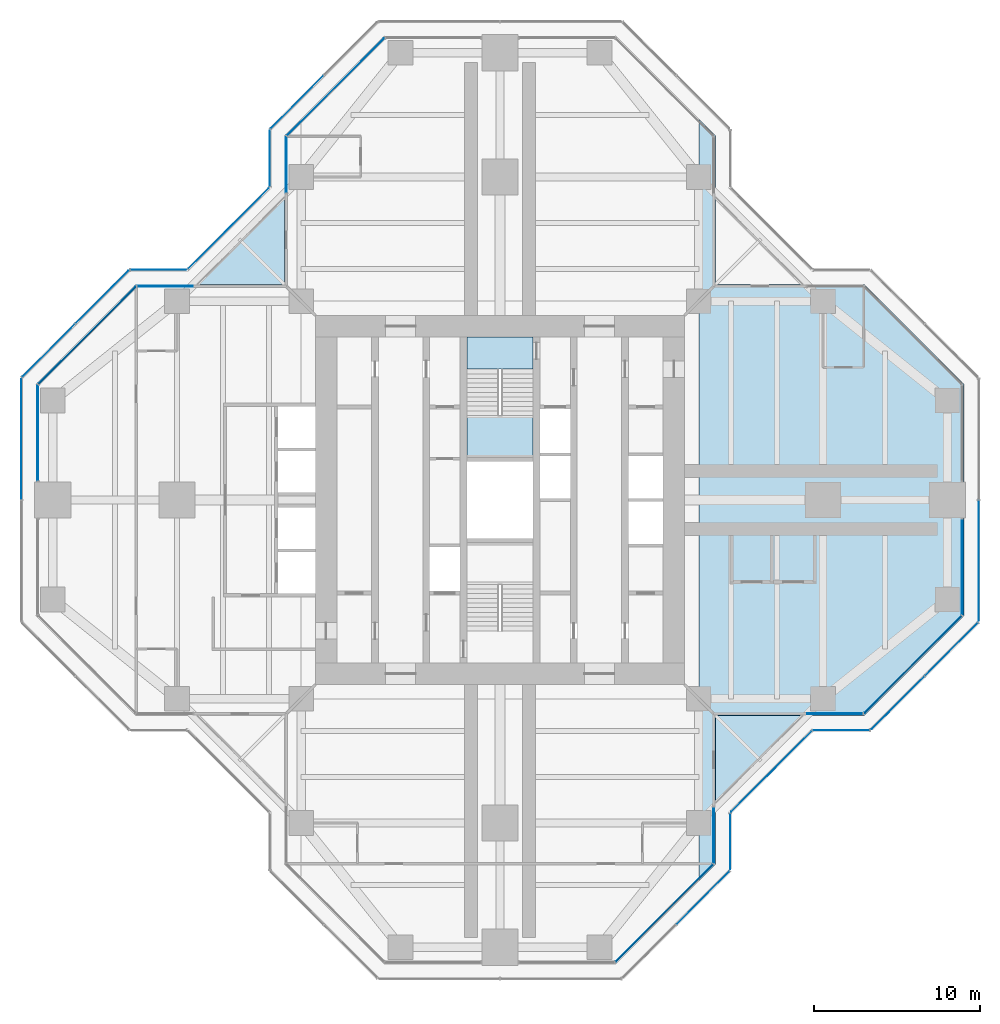
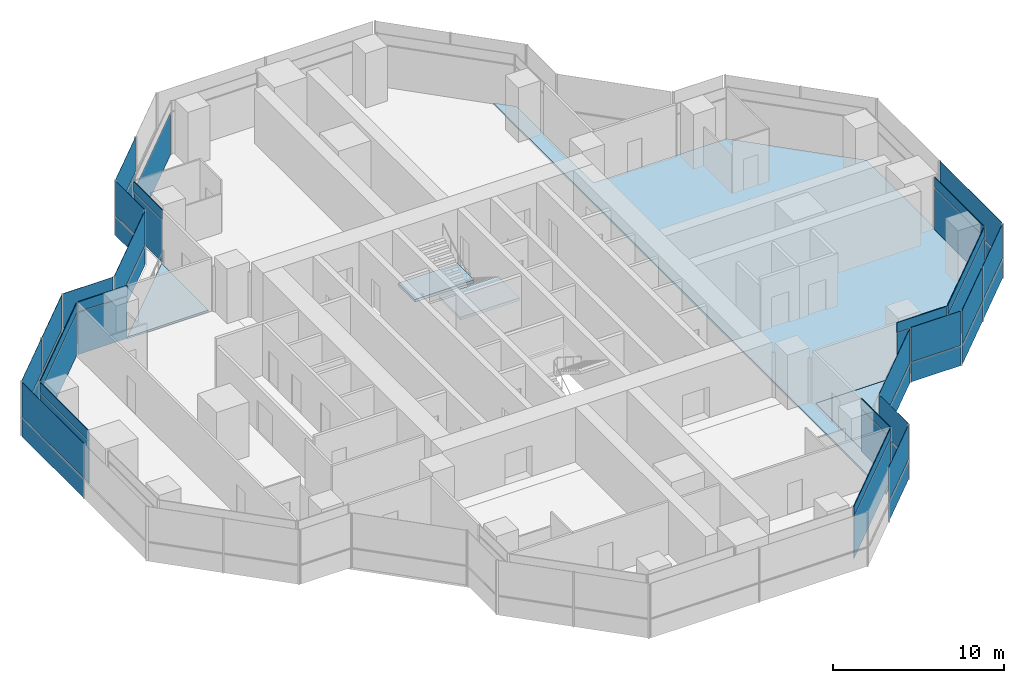
# One storey, part 11 of 17: 47 plates, 5 slabs, 23 elements without a shape of their own.
"""IFC4 building model written with IfcOpenShell, lengths in metres."""

from ifc_helpers import new_model, si_unit, direction, frame, origin, origin_2d, place, context, subcontext, project, spatial, polyline, rectangle, outline, extrude, material, layer, layer_set, type_object, element, aggregate, save


model = new_model("IFC4")

# Units and contexts
model_context = context("Model", 3, precision=1e-05, world=origin(), true_north=direction((0.0, 1.0)))
body_context = subcontext(model_context, "Body", "Model", "MODEL_VIEW")
ifc_project = project(units=[si_unit("LENGTHUNIT", "METRE"), si_unit("AREAUNIT", "SQUARE_METRE"), si_unit("VOLUMEUNIT", "CUBIC_METRE"), si_unit("PLANEANGLEUNIT", "RADIAN"), si_unit("MASSUNIT", "GRAM", prefix="KILO")], contexts=[model_context])

# Site, building, storey
site_placement = place(None, origin())
site = spatial("IfcSite", under=ifc_project, at=site_placement, CompositionType="ELEMENT")
building_placement = place(site_placement, origin())
building = spatial("IfcBuilding", under=site, at=building_placement, Name="Mizan Broadcast Tower", CompositionType="ELEMENT")
storey_placement = place(building_placement, frame((0.0, 0.0, 240.0)))
storey = spatial("IfcBuildingStorey", under=building, at=storey_placement, Name="L56", CompositionType="ELEMENT", Elevation=240.0)

# Slab
ifc_material_1 = material(Name="Concrete C32/40", Category="concrete")
ifc_layer_1 = layer(ifc_material_1, 0.1298828125)
ifc_layer_set_1 = layer_set([ifc_layer_1], Name="Concrete C32/40")
slab_type_1 = type_object("IfcSlabType", Name="COMPOSITE DECK SLAB 130", PredefinedType="FLOOR", material=ifc_layer_set_1)
slab_1_placement = place(storey_placement, frame((0.0, 0.0, -0.1298828125)))
element("IfcSlab", 1, at=slab_1_placement, inside=storey, type_object=slab_type_1, Name="Floor slab L56 east arm", PredefinedType="FLOOR", context=body_context, shape_type="SweptSolid", body=[
    extrude(outline(polyline([(13.0, 22.0), (12.0, 23.0), (12.0, -23.0), (13.0, -22.0), (13.0, -13.0), (22.0, -13.0), (28.0, -7.0), (28.0, 7.0), (22.0, 13.0), (13.0, 13.0), (13.0, 22.0)])), origin(), (0.0, 0.0, 1.0), 0.1298828125),
])

# Curtain wall, plate
ifc_material_2 = material(Name="Aluminium framed glazing", Category="aluminium")
curtain_wall_type_1 = type_object("IfcCurtainWallType", Name="INNER SKIN HIGH ZONE", PredefinedType="USERDEFINED", material=ifc_material_2)
curtain_wall_1_placement = place(storey_placement, origin())
curtain_wall_1 = element("IfcCurtainWall", 2, at=curtain_wall_1_placement, inside=storey, type_object=curtain_wall_type_1, Name="Inner skin high zone L56 E side", ObjectType="INNER SKIN HIGH ZONE", PredefinedType="USERDEFINED")
ifc_material_3 = material(Name="Double glazing, clear low-e", Category="glass")
ifc_layer_2 = layer(ifc_material_3, 0.028076171875)
ifc_layer_set_2 = layer_set([ifc_layer_2], Name="Double glazing, clear low-e")
plate_type_1 = type_object("IfcPlateType", Name="INNER SKIN GLAZING UNIT", PredefinedType="CURTAIN_PANEL", material=ifc_layer_set_2)
plate_1_placement = place(storey_placement, frame((20.229248046875, -12.89990234375, 0.0), z_axis=(0.0, 0.0, 1.0), x_axis=(1.0, 0.0, 0.0)))
plate_1 = element("IfcPlate", 3, at=plate_1_placement, type_object=plate_type_1, Name="Inner skin high zone L56 E side panel 1.1", PredefinedType="CURTAIN_PANEL", context=body_context, shape_type="SweptSolid", body=[
    extrude(rectangle(XDim=3.338623046875, YDim=0.028076171875, at=origin_2d()), origin(), (0.0, 0.0, 1.0), 3.0),
])

curtain_wall_2_placement = place(storey_placement, origin())
curtain_wall_2 = element("IfcCurtainWall", 4, at=curtain_wall_2_placement, inside=storey, type_object=curtain_wall_type_1, Name="Inner skin high zone L56 E chamfer", ObjectType="INNER SKIN HIGH ZONE", PredefinedType="USERDEFINED")
plate_2_placement = place(storey_placement, frame((24.92919921875, -9.92919921875, 0.0), z_axis=(0.0, 0.0, 1.0), x_axis=(0.707106781187, 0.707106781187, 0.0)))
plate_2 = element("IfcPlate", 5, at=plate_2_placement, type_object=plate_type_1, Name="Inner skin high zone L56 E chamfer panel 1.1", PredefinedType="CURTAIN_PANEL", context=body_context, shape_type="SweptSolid", body=[
    extrude(rectangle(XDim=8.282470703125, YDim=0.028076171875, at=origin_2d()), origin(), (0.0, 0.0, 1.0), 3.0),
])

curtain_wall_3_placement = place(storey_placement, origin())
curtain_wall_3 = element("IfcCurtainWall", 6, at=curtain_wall_3_placement, inside=storey, type_object=curtain_wall_type_1, Name="Inner skin high zone L56 E end", ObjectType="INNER SKIN HIGH ZONE", PredefinedType="USERDEFINED")
plate_3_placement = place(storey_placement, frame((27.89990234375, -4.029296875, 0.0), z_axis=(0.0, 0.0, 1.0), x_axis=(0.0, 1.0, 0.0)))
plate_3 = element("IfcPlate", 7, at=plate_3_placement, type_object=plate_type_1, Name="Inner skin high zone L56 E end panel 1.1", PredefinedType="CURTAIN_PANEL", context=body_context, shape_type="SweptSolid", body=[
    extrude(rectangle(XDim=5.738525390625, YDim=0.028076171875, at=origin_2d()), origin(), (0.0, 0.0, 1.0), 3.0),
])

curtain_wall_4_placement = place(storey_placement, origin())
curtain_wall_4 = element("IfcCurtainWall", 8, at=curtain_wall_4_placement, inside=storey, type_object=curtain_wall_type_1, Name="Inner skin high zone L56 N chamfer", ObjectType="INNER SKIN HIGH ZONE", PredefinedType="USERDEFINED")
plate_4_placement = place(storey_placement, frame((-9.92919921875, 24.92919921875, 0.0), z_axis=(0.0, 0.0, 1.0), x_axis=(-0.707106781187, -0.707106781187, 0.0)))
plate_4 = element("IfcPlate", 9, at=plate_4_placement, type_object=plate_type_1, Name="Inner skin high zone L56 N chamfer panel 1.1", PredefinedType="CURTAIN_PANEL", context=body_context, shape_type="SweptSolid", body=[
    extrude(rectangle(XDim=8.282470703125, YDim=0.028076171875, at=origin_2d()), origin(), (0.0, 0.0, 1.0), 3.0),
])
aggregate(curtain_wall_4, [plate_4])

curtain_wall_5_placement = place(storey_placement, origin())
curtain_wall_5 = element("IfcCurtainWall", 10, at=curtain_wall_5_placement, inside=storey, type_object=curtain_wall_type_1, Name="Inner skin high zone L56 N side", ObjectType="INNER SKIN HIGH ZONE", PredefinedType="USERDEFINED")
plate_5_placement = place(storey_placement, frame((-12.89990234375, 20.229248046875, 0.0), z_axis=(0.0, 0.0, 1.0), x_axis=(0.0, -1.0, 0.0)))
plate_5 = element("IfcPlate", 11, at=plate_5_placement, type_object=plate_type_1, Name="Inner skin high zone L56 N side panel 1.1", PredefinedType="CURTAIN_PANEL", context=body_context, shape_type="SweptSolid", body=[
    extrude(rectangle(XDim=3.338623046875, YDim=0.028076171875, at=origin_2d()), origin(), (0.0, 0.0, 1.0), 3.0),
])

curtain_wall_6_placement = place(storey_placement, origin())
curtain_wall_6 = element("IfcCurtainWall", 12, at=curtain_wall_6_placement, inside=storey, type_object=curtain_wall_type_1, Name="Inner skin high zone L56 W side", ObjectType="INNER SKIN HIGH ZONE", PredefinedType="USERDEFINED")
plate_6_placement = place(storey_placement, frame((-20.229248046875, 12.89990234375, 0.0), z_axis=(0.0, 0.0, 1.0), x_axis=(-1.0, 0.0, 0.0)))
plate_6 = element("IfcPlate", 13, at=plate_6_placement, type_object=plate_type_1, Name="Inner skin high zone L56 W side panel 1.1", PredefinedType="CURTAIN_PANEL", context=body_context, shape_type="SweptSolid", body=[
    extrude(rectangle(XDim=3.338623046875, YDim=0.028076171875, at=origin_2d()), origin(), (0.0, 0.0, 1.0), 3.0),
])

curtain_wall_7_placement = place(storey_placement, origin())
curtain_wall_7 = element("IfcCurtainWall", 14, at=curtain_wall_7_placement, inside=storey, type_object=curtain_wall_type_1, Name="Inner skin high zone L56 W chamfer", ObjectType="INNER SKIN HIGH ZONE", PredefinedType="USERDEFINED")
plate_7_placement = place(storey_placement, frame((-24.92919921875, 9.92919921875, 0.0), z_axis=(0.0, 0.0, 1.0), x_axis=(-0.707106781187, -0.707106781187, 0.0)))
plate_7 = element("IfcPlate", 15, at=plate_7_placement, type_object=plate_type_1, Name="Inner skin high zone L56 W chamfer panel 1.1", PredefinedType="CURTAIN_PANEL", context=body_context, shape_type="SweptSolid", body=[
    extrude(rectangle(XDim=8.282470703125, YDim=0.028076171875, at=origin_2d()), origin(), (0.0, 0.0, 1.0), 3.0),
])

curtain_wall_8_placement = place(storey_placement, origin())
curtain_wall_8 = element("IfcCurtainWall", 16, at=curtain_wall_8_placement, inside=storey, type_object=curtain_wall_type_1, Name="Inner skin high zone L56 W end", ObjectType="INNER SKIN HIGH ZONE", PredefinedType="USERDEFINED")
plate_8_placement = place(storey_placement, frame((-27.89990234375, 4.029296875, 0.0), z_axis=(0.0, 0.0, 1.0), x_axis=(0.0, -1.0, 0.0)))
plate_8 = element("IfcPlate", 17, at=plate_8_placement, type_object=plate_type_1, Name="Inner skin high zone L56 W end panel 1.1", PredefinedType="CURTAIN_PANEL", context=body_context, shape_type="SweptSolid", body=[
    extrude(rectangle(XDim=5.738525390625, YDim=0.028076171875, at=origin_2d()), origin(), (0.0, 0.0, 1.0), 3.0),
])

curtain_wall_9_placement = place(storey_placement, origin())
curtain_wall_9 = element("IfcCurtainWall", 18, at=curtain_wall_9_placement, inside=storey, type_object=curtain_wall_type_1, Name="Inner skin high zone L56 S chamfer", ObjectType="INNER SKIN HIGH ZONE", PredefinedType="USERDEFINED")
plate_9_placement = place(storey_placement, frame((9.92919921875, -24.92919921875, 0.0), z_axis=(0.0, 0.0, 1.0), x_axis=(0.707106781187, 0.707106781187, 0.0)))
plate_9 = element("IfcPlate", 19, at=plate_9_placement, type_object=plate_type_1, Name="Inner skin high zone L56 S chamfer panel 1.1", PredefinedType="CURTAIN_PANEL", context=body_context, shape_type="SweptSolid", body=[
    extrude(rectangle(XDim=8.282470703125, YDim=0.028076171875, at=origin_2d()), origin(), (0.0, 0.0, 1.0), 3.0),
])

curtain_wall_10_placement = place(storey_placement, origin())
curtain_wall_10 = element("IfcCurtainWall", 20, at=curtain_wall_10_placement, inside=storey, type_object=curtain_wall_type_1, Name="Inner skin high zone L56 S side", ObjectType="INNER SKIN HIGH ZONE", PredefinedType="USERDEFINED")
plate_10_placement = place(storey_placement, frame((12.89990234375, -20.229248046875, 0.0), z_axis=(0.0, 0.0, 1.0), x_axis=(0.0, 1.0, 0.0)))
plate_10 = element("IfcPlate", 21, at=plate_10_placement, type_object=plate_type_1, Name="Inner skin high zone L56 S side panel 1.1", PredefinedType="CURTAIN_PANEL", context=body_context, shape_type="SweptSolid", body=[
    extrude(rectangle(XDim=3.338623046875, YDim=0.028076171875, at=origin_2d()), origin(), (0.0, 0.0, 1.0), 3.0),
])

# Plate
ifc_material_4 = material(Name="Insulated aluminium spandrel panel, pale anodised", Category="aluminium")
ifc_layer_3 = layer(ifc_material_4, 0.050048828125)
ifc_layer_set_3 = layer_set([ifc_layer_3], Name="Insulated aluminium spandrel panel, pale anodised")
plate_type_2 = type_object("IfcPlateType", Name="INNER SKIN SPANDREL PANEL", PredefinedType="CURTAIN_PANEL", material=ifc_layer_set_3)
plate_11_placement = place(storey_placement, frame((20.229248046875, -12.89990234375, 3.06005859375), z_axis=(0.0, 0.0, 1.0), x_axis=(1.0, 0.0, 0.0)))
plate_11 = element("IfcPlate", 22, at=plate_11_placement, type_object=plate_type_2, Name="Inner skin high zone L56 E side panel 1.2", PredefinedType="CURTAIN_PANEL", context=body_context, shape_type="SweptSolid", body=[
    extrude(rectangle(XDim=3.338623046875, YDim=0.050048828125, at=origin_2d()), origin(), (0.0, 0.0, 1.0), 0.7099609375),
])

aggregate(curtain_wall_1, [plate_1, plate_11])

plate_12_placement = place(storey_placement, frame((24.92919921875, -9.92919921875, 3.06005859375), z_axis=(0.0, 0.0, 1.0), x_axis=(0.707106781187, 0.707106781187, 0.0)))
plate_12 = element("IfcPlate", 23, at=plate_12_placement, type_object=plate_type_2, Name="Inner skin high zone L56 E chamfer panel 1.2", PredefinedType="CURTAIN_PANEL", context=body_context, shape_type="SweptSolid", body=[
    extrude(rectangle(XDim=8.282470703125, YDim=0.050048828125, at=origin_2d()), origin(), (0.0, 0.0, 1.0), 0.7099609375),
])

aggregate(curtain_wall_2, [plate_2, plate_12])

plate_13_placement = place(storey_placement, frame((27.89990234375, -4.029296875, 3.06005859375), z_axis=(0.0, 0.0, 1.0), x_axis=(0.0, 1.0, 0.0)))
plate_13 = element("IfcPlate", 24, at=plate_13_placement, type_object=plate_type_2, Name="Inner skin high zone L56 E end panel 1.2", PredefinedType="CURTAIN_PANEL", context=body_context, shape_type="SweptSolid", body=[
    extrude(rectangle(XDim=5.738525390625, YDim=0.050048828125, at=origin_2d()), origin(), (0.0, 0.0, 1.0), 0.7099609375),
])

aggregate(curtain_wall_3, [plate_3, plate_13])

plate_14_placement = place(storey_placement, frame((-12.89990234375, 20.229248046875, 3.06005859375), z_axis=(0.0, 0.0, 1.0), x_axis=(0.0, -1.0, 0.0)))
plate_14 = element("IfcPlate", 25, at=plate_14_placement, type_object=plate_type_2, Name="Inner skin high zone L56 N side panel 1.2", PredefinedType="CURTAIN_PANEL", context=body_context, shape_type="SweptSolid", body=[
    extrude(rectangle(XDim=3.338623046875, YDim=0.050048828125, at=origin_2d()), origin(), (0.0, 0.0, 1.0), 0.7099609375),
])

aggregate(curtain_wall_5, [plate_5, plate_14])

plate_15_placement = place(storey_placement, frame((-20.229248046875, 12.89990234375, 3.06005859375), z_axis=(0.0, 0.0, 1.0), x_axis=(-1.0, 0.0, 0.0)))
plate_15 = element("IfcPlate", 26, at=plate_15_placement, type_object=plate_type_2, Name="Inner skin high zone L56 W side panel 1.2", PredefinedType="CURTAIN_PANEL", context=body_context, shape_type="SweptSolid", body=[
    extrude(rectangle(XDim=3.338623046875, YDim=0.050048828125, at=origin_2d()), origin(), (0.0, 0.0, 1.0), 0.7099609375),
])

aggregate(curtain_wall_6, [plate_6, plate_15])

plate_16_placement = place(storey_placement, frame((-24.92919921875, 9.92919921875, 3.06005859375), z_axis=(0.0, 0.0, 1.0), x_axis=(-0.707106781187, -0.707106781187, 0.0)))
plate_16 = element("IfcPlate", 27, at=plate_16_placement, type_object=plate_type_2, Name="Inner skin high zone L56 W chamfer panel 1.2", PredefinedType="CURTAIN_PANEL", context=body_context, shape_type="SweptSolid", body=[
    extrude(rectangle(XDim=8.282470703125, YDim=0.050048828125, at=origin_2d()), origin(), (0.0, 0.0, 1.0), 0.7099609375),
])

aggregate(curtain_wall_7, [plate_7, plate_16])

plate_17_placement = place(storey_placement, frame((-27.89990234375, 4.029296875, 3.06005859375), z_axis=(0.0, 0.0, 1.0), x_axis=(0.0, -1.0, 0.0)))
plate_17 = element("IfcPlate", 28, at=plate_17_placement, type_object=plate_type_2, Name="Inner skin high zone L56 W end panel 1.2", PredefinedType="CURTAIN_PANEL", context=body_context, shape_type="SweptSolid", body=[
    extrude(rectangle(XDim=5.738525390625, YDim=0.050048828125, at=origin_2d()), origin(), (0.0, 0.0, 1.0), 0.7099609375),
])

aggregate(curtain_wall_8, [plate_8, plate_17])

plate_18_placement = place(storey_placement, frame((9.92919921875, -24.92919921875, 3.06005859375), z_axis=(0.0, 0.0, 1.0), x_axis=(0.707106781187, 0.707106781187, 0.0)))
plate_18 = element("IfcPlate", 29, at=plate_18_placement, type_object=plate_type_2, Name="Inner skin high zone L56 S chamfer panel 1.2", PredefinedType="CURTAIN_PANEL", context=body_context, shape_type="SweptSolid", body=[
    extrude(rectangle(XDim=8.282470703125, YDim=0.050048828125, at=origin_2d()), origin(), (0.0, 0.0, 1.0), 0.7099609375),
])

aggregate(curtain_wall_9, [plate_9, plate_18])

plate_19_placement = place(storey_placement, frame((12.89990234375, -20.229248046875, 3.06005859375), z_axis=(0.0, 0.0, 1.0), x_axis=(0.0, 1.0, 0.0)))
plate_19 = element("IfcPlate", 30, at=plate_19_placement, type_object=plate_type_2, Name="Inner skin high zone L56 S side panel 1.2", PredefinedType="CURTAIN_PANEL", context=body_context, shape_type="SweptSolid", body=[
    extrude(rectangle(XDim=3.338623046875, YDim=0.050048828125, at=origin_2d()), origin(), (0.0, 0.0, 1.0), 0.7099609375),
])

aggregate(curtain_wall_10, [plate_10, plate_19])

# Curtain wall, plates
ifc_material_5 = material(Name="Aluminium framed glazing", Category="aluminium")
curtain_wall_type_2 = type_object("IfcCurtainWallType", Name="OUTER SKIN", PredefinedType="USERDEFINED", material=ifc_material_5)
curtain_wall_11_placement = place(storey_placement, origin())
curtain_wall_11 = element("IfcCurtainWall", 31, at=curtain_wall_11_placement, inside=storey, type_object=curtain_wall_type_2, Name="Outer skin L56 E chamfer", ObjectType="OUTER SKIN", PredefinedType="USERDEFINED")
ifc_material_6 = material(Name="Laminated clear glass", Category="glass")
ifc_layer_4 = layer(ifc_material_6, 0.02001953125)
ifc_layer_set_4 = layer_set([ifc_layer_4], Name="Laminated clear glass")
plate_type_3 = type_object("IfcPlateType", Name="OUTER SKIN CLEAR GLASS", PredefinedType="CURTAIN_PANEL", material=ifc_layer_set_4)
plate_20_placement = place(storey_placement, frame((24.018798828125, -12.254150390625, 0.0), z_axis=(0.0, 0.0, 1.0), x_axis=(0.707106781187, 0.707106781187, 0.0)))
plate_20 = element("IfcPlate", 32, at=plate_20_placement, type_object=plate_type_3, Name="Outer skin L56 E chamfer panel 1.1", PredefinedType="CURTAIN_PANEL", context=body_context, shape_type="SweptSolid", body=[
    extrude(rectangle(XDim=4.495361328125, YDim=0.02001953125, at=origin_2d()), origin(), (0.0, 0.0, 1.0), 1.3701171875),
])
plate_21_placement = place(storey_placement, frame((24.018798828125, -12.254150390625, 1.43017578125), z_axis=(0.0, 0.0, 1.0), x_axis=(0.707106781187, 0.707106781187, 0.0)))
plate_21 = element("IfcPlate", 33, at=plate_21_placement, type_object=plate_type_3, Name="Outer skin L56 E chamfer panel 1.2", PredefinedType="CURTAIN_PANEL", context=body_context, shape_type="SweptSolid", body=[
    extrude(rectangle(XDim=4.495361328125, YDim=0.02001953125, at=origin_2d()), origin(), (0.0, 0.0, 1.0), 2.469970703125),
])

curtain_wall_12_placement = place(storey_placement, origin())
curtain_wall_12 = element("IfcCurtainWall", 34, at=curtain_wall_12_placement, inside=storey, type_object=curtain_wall_type_2, Name="Outer skin L56 E end", ObjectType="OUTER SKIN", PredefinedType="USERDEFINED")
plate_22_placement = place(storey_placement, frame((28.89990234375, -3.66650390625, 0.0), z_axis=(0.0, 0.0, 1.0), x_axis=(0.0, 1.0, 0.0)))
plate_22 = element("IfcPlate", 35, at=plate_22_placement, type_object=plate_type_3, Name="Outer skin L56 E end panel 1.1", PredefinedType="CURTAIN_PANEL", context=body_context, shape_type="SweptSolid", body=[
    extrude(rectangle(XDim=7.252685546875, YDim=0.02001953125, at=origin_2d()), origin(), (0.0, 0.0, 1.0), 1.3701171875),
])
plate_23_placement = place(storey_placement, frame((28.89990234375, -3.66650390625, 1.43017578125), z_axis=(0.0, 0.0, 1.0), x_axis=(0.0, 1.0, 0.0)))
plate_23 = element("IfcPlate", 36, at=plate_23_placement, type_object=plate_type_3, Name="Outer skin L56 E end panel 1.2", PredefinedType="CURTAIN_PANEL", context=body_context, shape_type="SweptSolid", body=[
    extrude(rectangle(XDim=7.252685546875, YDim=0.02001953125, at=origin_2d()), origin(), (0.0, 0.0, 1.0), 2.469970703125),
])
aggregate(curtain_wall_12, [plate_22, plate_23])

curtain_wall_13_placement = place(storey_placement, origin())
curtain_wall_13 = element("IfcCurtainWall", 37, at=curtain_wall_13_placement, inside=storey, type_object=curtain_wall_type_2, Name="Outer skin L56 N side", ObjectType="OUTER SKIN", PredefinedType="USERDEFINED")
plate_24_placement = place(storey_placement, frame((-13.89990234375, 20.622802734375, 0.0), z_axis=(0.0, 0.0, 1.0), x_axis=(0.0, -1.0, 0.0)))
plate_24 = element("IfcPlate", 38, at=plate_24_placement, type_object=plate_type_3, Name="Outer skin L56 N side panel 1.1", PredefinedType="CURTAIN_PANEL", context=body_context, shape_type="SweptSolid", body=[
    extrude(rectangle(XDim=3.340087890625, YDim=0.02001953125, at=origin_2d()), origin(), (0.0, 0.0, 1.0), 1.3701171875),
])
plate_25_placement = place(storey_placement, frame((-13.89990234375, 20.622802734375, 1.43017578125), z_axis=(0.0, 0.0, 1.0), x_axis=(0.0, -1.0, 0.0)))
plate_25 = element("IfcPlate", 39, at=plate_25_placement, type_object=plate_type_3, Name="Outer skin L56 N side panel 1.2", PredefinedType="CURTAIN_PANEL", context=body_context, shape_type="SweptSolid", body=[
    extrude(rectangle(XDim=3.340087890625, YDim=0.02001953125, at=origin_2d()), origin(), (0.0, 0.0, 1.0), 2.469970703125),
])
aggregate(curtain_wall_13, [plate_24, plate_25])

curtain_wall_14_placement = place(storey_placement, origin())
curtain_wall_14 = element("IfcCurtainWall", 40, at=curtain_wall_14_placement, inside=storey, type_object=curtain_wall_type_2, Name="Outer skin L56 W chamfer", ObjectType="OUTER SKIN", PredefinedType="USERDEFINED")
plate_26_placement = place(storey_placement, frame((-16.386474609375, 16.386474609375, 0.0), z_axis=(0.0, 0.0, 1.0), x_axis=(-0.707106781187, -0.707106781187, 0.0)))
plate_26 = element("IfcPlate", 41, at=plate_26_placement, type_object=plate_type_3, Name="Outer skin L56 W chamfer panel 1.1", PredefinedType="CURTAIN_PANEL", context=body_context, shape_type="SweptSolid", body=[
    extrude(rectangle(XDim=6.87255859375, YDim=0.02001953125, at=origin_2d()), origin(), (0.0, 0.0, 1.0), 1.3701171875),
])
plate_27_placement = place(storey_placement, frame((-16.386474609375, 16.386474609375, 1.43017578125), z_axis=(0.0, 0.0, 1.0), x_axis=(-0.707106781187, -0.707106781187, 0.0)))
plate_27 = element("IfcPlate", 42, at=plate_27_placement, type_object=plate_type_3, Name="Outer skin L56 W chamfer panel 1.2", PredefinedType="CURTAIN_PANEL", context=body_context, shape_type="SweptSolid", body=[
    extrude(rectangle(XDim=6.87255859375, YDim=0.02001953125, at=origin_2d()), origin(), (0.0, 0.0, 1.0), 2.469970703125),
])
aggregate(curtain_wall_14, [plate_26, plate_27])

curtain_wall_15_placement = place(storey_placement, origin())
curtain_wall_15 = element("IfcCurtainWall", 43, at=curtain_wall_15_placement, inside=storey, type_object=curtain_wall_type_2, Name="Outer skin L56 W side", ObjectType="OUTER SKIN", PredefinedType="USERDEFINED")
plate_28_placement = place(storey_placement, frame((-20.622802734375, 13.89990234375, 0.0), z_axis=(0.0, 0.0, 1.0), x_axis=(-1.0, 0.0, 0.0)))
plate_28 = element("IfcPlate", 44, at=plate_28_placement, type_object=plate_type_3, Name="Outer skin L56 W side panel 1.1", PredefinedType="CURTAIN_PANEL", context=body_context, shape_type="SweptSolid", body=[
    extrude(rectangle(XDim=3.340087890625, YDim=0.02001953125, at=origin_2d()), origin(), (0.0, 0.0, 1.0), 1.3701171875),
])
plate_29_placement = place(storey_placement, frame((-20.622802734375, 13.89990234375, 1.43017578125), z_axis=(0.0, 0.0, 1.0), x_axis=(-1.0, 0.0, 0.0)))
plate_29 = element("IfcPlate", 45, at=plate_29_placement, type_object=plate_type_3, Name="Outer skin L56 W side panel 1.2", PredefinedType="CURTAIN_PANEL", context=body_context, shape_type="SweptSolid", body=[
    extrude(rectangle(XDim=3.340087890625, YDim=0.02001953125, at=origin_2d()), origin(), (0.0, 0.0, 1.0), 2.469970703125),
])
aggregate(curtain_wall_15, [plate_28, plate_29])

curtain_wall_16_placement = place(storey_placement, origin())
curtain_wall_16 = element("IfcCurtainWall", 46, at=curtain_wall_16_placement, inside=storey, type_object=curtain_wall_type_2, Name="Outer skin L56 W chamfer", ObjectType="OUTER SKIN", PredefinedType="USERDEFINED")
plate_30_placement = place(storey_placement, frame((-24.018798828125, 12.254150390625, 0.0), z_axis=(0.0, 0.0, 1.0), x_axis=(-0.707106781187, -0.707106781187, 0.0)))
plate_30 = element("IfcPlate", 47, at=plate_30_placement, type_object=plate_type_3, Name="Outer skin L56 W chamfer panel 1.1", PredefinedType="CURTAIN_PANEL", context=body_context, shape_type="SweptSolid", body=[
    extrude(rectangle(XDim=4.495361328125, YDim=0.02001953125, at=origin_2d()), origin(), (0.0, 0.0, 1.0), 1.3701171875),
])
plate_31_placement = place(storey_placement, frame((-24.018798828125, 12.254150390625, 1.43017578125), z_axis=(0.0, 0.0, 1.0), x_axis=(-0.707106781187, -0.707106781187, 0.0)))
plate_31 = element("IfcPlate", 48, at=plate_31_placement, type_object=plate_type_3, Name="Outer skin L56 W chamfer panel 1.2", PredefinedType="CURTAIN_PANEL", context=body_context, shape_type="SweptSolid", body=[
    extrude(rectangle(XDim=4.495361328125, YDim=0.02001953125, at=origin_2d()), origin(), (0.0, 0.0, 1.0), 2.469970703125),
])

curtain_wall_17_placement = place(storey_placement, origin())
curtain_wall_17 = element("IfcCurtainWall", 49, at=curtain_wall_17_placement, inside=storey, type_object=curtain_wall_type_2, Name="Outer skin L56 W end", ObjectType="OUTER SKIN", PredefinedType="USERDEFINED")
plate_32_placement = place(storey_placement, frame((-28.89990234375, 3.66650390625, 0.0), z_axis=(0.0, 0.0, 1.0), x_axis=(0.0, -1.0, 0.0)))
plate_32 = element("IfcPlate", 50, at=plate_32_placement, type_object=plate_type_3, Name="Outer skin L56 W end panel 1.1", PredefinedType="CURTAIN_PANEL", context=body_context, shape_type="SweptSolid", body=[
    extrude(rectangle(XDim=7.252685546875, YDim=0.02001953125, at=origin_2d()), origin(), (0.0, 0.0, 1.0), 1.3701171875),
])
plate_33_placement = place(storey_placement, frame((-28.89990234375, 3.66650390625, 1.43017578125), z_axis=(0.0, 0.0, 1.0), x_axis=(0.0, -1.0, 0.0)))
plate_33 = element("IfcPlate", 51, at=plate_33_placement, type_object=plate_type_3, Name="Outer skin L56 W end panel 1.2", PredefinedType="CURTAIN_PANEL", context=body_context, shape_type="SweptSolid", body=[
    extrude(rectangle(XDim=7.252685546875, YDim=0.02001953125, at=origin_2d()), origin(), (0.0, 0.0, 1.0), 2.469970703125),
])
aggregate(curtain_wall_17, [plate_32, plate_33])

curtain_wall_18_placement = place(storey_placement, origin())
curtain_wall_18 = element("IfcCurtainWall", 52, at=curtain_wall_18_placement, inside=storey, type_object=curtain_wall_type_2, Name="Outer skin L56 S side", ObjectType="OUTER SKIN", PredefinedType="USERDEFINED")
plate_34_placement = place(storey_placement, frame((13.89990234375, -20.622802734375, 0.0), z_axis=(0.0, 0.0, 1.0), x_axis=(0.0, 1.0, 0.0)))
plate_34 = element("IfcPlate", 53, at=plate_34_placement, type_object=plate_type_3, Name="Outer skin L56 S side panel 1.1", PredefinedType="CURTAIN_PANEL", context=body_context, shape_type="SweptSolid", body=[
    extrude(rectangle(XDim=3.340087890625, YDim=0.02001953125, at=origin_2d()), origin(), (0.0, 0.0, 1.0), 1.3701171875),
])
plate_35_placement = place(storey_placement, frame((13.89990234375, -20.622802734375, 1.43017578125), z_axis=(0.0, 0.0, 1.0), x_axis=(0.0, 1.0, 0.0)))
plate_35 = element("IfcPlate", 54, at=plate_35_placement, type_object=plate_type_3, Name="Outer skin L56 S side panel 1.2", PredefinedType="CURTAIN_PANEL", context=body_context, shape_type="SweptSolid", body=[
    extrude(rectangle(XDim=3.340087890625, YDim=0.02001953125, at=origin_2d()), origin(), (0.0, 0.0, 1.0), 2.469970703125),
])
aggregate(curtain_wall_18, [plate_34, plate_35])

curtain_wall_19_placement = place(storey_placement, origin())
curtain_wall_19 = element("IfcCurtainWall", 55, at=curtain_wall_19_placement, inside=storey, type_object=curtain_wall_type_2, Name="Outer skin L56 E chamfer", ObjectType="OUTER SKIN", PredefinedType="USERDEFINED")
plate_36_placement = place(storey_placement, frame((16.386474609375, -16.386474609375, 0.0), z_axis=(0.0, 0.0, 1.0), x_axis=(0.707106781187, 0.707106781187, 0.0)))
plate_36 = element("IfcPlate", 56, at=plate_36_placement, type_object=plate_type_3, Name="Outer skin L56 E chamfer panel 1.1", PredefinedType="CURTAIN_PANEL", context=body_context, shape_type="SweptSolid", body=[
    extrude(rectangle(XDim=6.87255859375, YDim=0.02001953125, at=origin_2d()), origin(), (0.0, 0.0, 1.0), 1.3701171875),
])
plate_37_placement = place(storey_placement, frame((16.386474609375, -16.386474609375, 1.43017578125), z_axis=(0.0, 0.0, 1.0), x_axis=(0.707106781187, 0.707106781187, 0.0)))
plate_37 = element("IfcPlate", 57, at=plate_37_placement, type_object=plate_type_3, Name="Outer skin L56 E chamfer panel 1.2", PredefinedType="CURTAIN_PANEL", context=body_context, shape_type="SweptSolid", body=[
    extrude(rectangle(XDim=6.87255859375, YDim=0.02001953125, at=origin_2d()), origin(), (0.0, 0.0, 1.0), 2.469970703125),
])
aggregate(curtain_wall_19, [plate_36, plate_37])

curtain_wall_20_placement = place(storey_placement, origin())
curtain_wall_20 = element("IfcCurtainWall", 58, at=curtain_wall_20_placement, inside=storey, type_object=curtain_wall_type_2, Name="Outer skin L56 E side", ObjectType="OUTER SKIN", PredefinedType="USERDEFINED")
plate_38_placement = place(storey_placement, frame((20.622802734375, -13.89990234375, 0.0), z_axis=(0.0, 0.0, 1.0), x_axis=(1.0, 0.0, 0.0)))
plate_38 = element("IfcPlate", 59, at=plate_38_placement, type_object=plate_type_3, Name="Outer skin L56 E side panel 1.1", PredefinedType="CURTAIN_PANEL", context=body_context, shape_type="SweptSolid", body=[
    extrude(rectangle(XDim=3.340087890625, YDim=0.02001953125, at=origin_2d()), origin(), (0.0, 0.0, 1.0), 1.3701171875),
])
plate_39_placement = place(storey_placement, frame((20.622802734375, -13.89990234375, 1.43017578125), z_axis=(0.0, 0.0, 1.0), x_axis=(1.0, 0.0, 0.0)))
plate_39 = element("IfcPlate", 60, at=plate_39_placement, type_object=plate_type_3, Name="Outer skin L56 E side panel 1.2", PredefinedType="CURTAIN_PANEL", context=body_context, shape_type="SweptSolid", body=[
    extrude(rectangle(XDim=3.340087890625, YDim=0.02001953125, at=origin_2d()), origin(), (0.0, 0.0, 1.0), 2.469970703125),
])
aggregate(curtain_wall_20, [plate_38, plate_39])

# Plate
ifc_material_7 = material(Name="Perforated aluminium, pale anodised", Category="aluminium")
ifc_layer_5 = layer(ifc_material_7, 0.011962890625)
ifc_layer_set_5 = layer_set([ifc_layer_5], Name="Perforated aluminium, pale anodised")
plate_type_4 = type_object("IfcPlateType", Name="OUTER SKIN PERFORATED SCREEN", PredefinedType="USERDEFINED", material=ifc_layer_set_5)
plate_40_placement = place(storey_placement, frame((27.254150390625, -9.018798828125, 0.0), z_axis=(0.0, 0.0, 1.0), x_axis=(0.707106781187, 0.707106781187, 0.0)))
plate_40 = element("IfcPlate", 61, at=plate_40_placement, type_object=plate_type_4, Name="Outer skin L56 E chamfer panel 2.1", ObjectType="SCREEN", PredefinedType="USERDEFINED", context=body_context, shape_type="SweptSolid", body=[
    extrude(rectangle(XDim=4.495361328125, YDim=0.011962890625, at=origin_2d()), origin(), (0.0, 0.0, 1.0), 1.3701171875),
])

plate_41_placement = place(storey_placement, frame((27.254150390625, -9.018798828125, 1.43017578125), z_axis=(0.0, 0.0, 1.0), x_axis=(0.707106781187, 0.707106781187, 0.0)))
plate_41 = element("IfcPlate", 62, at=plate_41_placement, type_object=plate_type_4, Name="Outer skin L56 E chamfer panel 2.2", ObjectType="SCREEN", PredefinedType="USERDEFINED", context=body_context, shape_type="SweptSolid", body=[
    extrude(rectangle(XDim=4.495361328125, YDim=0.011962890625, at=origin_2d()), origin(), (0.0, 0.0, 1.0), 2.469970703125),
])

aggregate(curtain_wall_11, [plate_20, plate_21, plate_40, plate_41])

# Curtain wall, plates
curtain_wall_21_placement = place(storey_placement, origin())
curtain_wall_21 = element("IfcCurtainWall", 63, at=curtain_wall_21_placement, inside=storey, type_object=curtain_wall_type_2, Name="Outer skin L56 N chamfer", ObjectType="OUTER SKIN", PredefinedType="USERDEFINED")
plate_42_placement = place(storey_placement, frame((-12.254150390625, 24.018798828125, 0.0), z_axis=(0.0, 0.0, 1.0), x_axis=(-0.707106781187, -0.707106781187, 0.0)))
plate_42 = element("IfcPlate", 64, at=plate_42_placement, type_object=plate_type_4, Name="Outer skin L56 N chamfer panel 2.1", ObjectType="SCREEN", PredefinedType="USERDEFINED", context=body_context, shape_type="SweptSolid", body=[
    extrude(rectangle(XDim=4.495361328125, YDim=0.011962890625, at=origin_2d()), origin(), (0.0, 0.0, 1.0), 1.3701171875),
])
plate_43_placement = place(storey_placement, frame((-12.254150390625, 24.018798828125, 1.43017578125), z_axis=(0.0, 0.0, 1.0), x_axis=(-0.707106781187, -0.707106781187, 0.0)))
plate_43 = element("IfcPlate", 65, at=plate_43_placement, type_object=plate_type_4, Name="Outer skin L56 N chamfer panel 2.2", ObjectType="SCREEN", PredefinedType="USERDEFINED", context=body_context, shape_type="SweptSolid", body=[
    extrude(rectangle(XDim=4.495361328125, YDim=0.011962890625, at=origin_2d()), origin(), (0.0, 0.0, 1.0), 2.469970703125),
])
aggregate(curtain_wall_21, [plate_42, plate_43])

# Plate
plate_44_placement = place(storey_placement, frame((-27.254150390625, 9.018798828125, 0.0), z_axis=(0.0, 0.0, 1.0), x_axis=(-0.707106781187, -0.707106781187, 0.0)))
plate_44 = element("IfcPlate", 66, at=plate_44_placement, type_object=plate_type_4, Name="Outer skin L56 W chamfer panel 2.1", ObjectType="SCREEN", PredefinedType="USERDEFINED", context=body_context, shape_type="SweptSolid", body=[
    extrude(rectangle(XDim=4.495361328125, YDim=0.011962890625, at=origin_2d()), origin(), (0.0, 0.0, 1.0), 1.3701171875),
])

plate_45_placement = place(storey_placement, frame((-27.254150390625, 9.018798828125, 1.43017578125), z_axis=(0.0, 0.0, 1.0), x_axis=(-0.707106781187, -0.707106781187, 0.0)))
plate_45 = element("IfcPlate", 67, at=plate_45_placement, type_object=plate_type_4, Name="Outer skin L56 W chamfer panel 2.2", ObjectType="SCREEN", PredefinedType="USERDEFINED", context=body_context, shape_type="SweptSolid", body=[
    extrude(rectangle(XDim=4.495361328125, YDim=0.011962890625, at=origin_2d()), origin(), (0.0, 0.0, 1.0), 2.469970703125),
])

aggregate(curtain_wall_16, [plate_30, plate_31, plate_44, plate_45])

# Curtain wall, plates
curtain_wall_22_placement = place(storey_placement, origin())
curtain_wall_22 = element("IfcCurtainWall", 68, at=curtain_wall_22_placement, inside=storey, type_object=curtain_wall_type_2, Name="Outer skin L56 S chamfer", ObjectType="OUTER SKIN", PredefinedType="USERDEFINED")
plate_46_placement = place(storey_placement, frame((12.254150390625, -24.018798828125, 0.0), z_axis=(0.0, 0.0, 1.0), x_axis=(0.707106781187, 0.707106781187, 0.0)))
plate_46 = element("IfcPlate", 69, at=plate_46_placement, type_object=plate_type_4, Name="Outer skin L56 S chamfer panel 2.1", ObjectType="SCREEN", PredefinedType="USERDEFINED", context=body_context, shape_type="SweptSolid", body=[
    extrude(rectangle(XDim=4.495361328125, YDim=0.011962890625, at=origin_2d()), origin(), (0.0, 0.0, 1.0), 1.3701171875),
])
plate_47_placement = place(storey_placement, frame((12.254150390625, -24.018798828125, 1.43017578125), z_axis=(0.0, 0.0, 1.0), x_axis=(0.707106781187, 0.707106781187, 0.0)))
plate_47 = element("IfcPlate", 70, at=plate_47_placement, type_object=plate_type_4, Name="Outer skin L56 S chamfer panel 2.2", ObjectType="SCREEN", PredefinedType="USERDEFINED", context=body_context, shape_type="SweptSolid", body=[
    extrude(rectangle(XDim=4.495361328125, YDim=0.011962890625, at=origin_2d()), origin(), (0.0, 0.0, 1.0), 2.469970703125),
])
aggregate(curtain_wall_22, [plate_46, plate_47])

# Stair, slabs
ifc_material_8 = material(Name="Concrete C40/50", Category="concrete")
stair_type = type_object("IfcStairType", Name="EXIT STAIR", PredefinedType="HALF_TURN_STAIR", material=ifc_material_8)
stair_placement = place(storey_placement, origin())
stair = element("IfcStair", 71, at=stair_placement, inside=storey, type_object=stair_type, Name="Stair B L56", PredefinedType="HALF_TURN_STAIR")
ifc_material_9 = material(Name="Concrete C40/50", Category="concrete")
ifc_layer_6 = layer(ifc_material_9, 0.199951171875)
ifc_layer_set_6 = layer_set([ifc_layer_6], Name="Concrete C40/50")
slab_type_2 = type_object("IfcSlabType", Name="STAIR LANDING 200", PredefinedType="LANDING", material=ifc_layer_set_6)
slab_2_placement = place(storey_placement, frame((0.0, 0.0, -0.199951171875)))
slab_2 = element("IfcSlab", 72, at=slab_2_placement, type_object=slab_type_2, Name="B landing 1", PredefinedType="LANDING", context=body_context, shape_type="SweptSolid", body=[
    extrude(outline(polyline([(2.0, 9.85009765625), (2.0, 7.89990234375), (-2.0, 7.89990234375), (-2.0, 9.85009765625), (2.0, 9.85009765625)])), origin(), (0.0, 0.0, 1.0), 0.199951171875),
])
slab_3_placement = place(storey_placement, frame((0.0, 0.0, 1.75)))
slab_3 = element("IfcSlab", 73, at=slab_3_placement, type_object=slab_type_2, Name="B landing 2", PredefinedType="LANDING", context=body_context, shape_type="SweptSolid", body=[
    extrude(outline(polyline([(2.0, 5.10009765625), (2.0, 2.574951171875), (-2.0, 2.574951171875), (-2.0, 5.10009765625), (2.0, 5.10009765625)])), origin(), (0.0, 0.0, 1.0), 0.199951171875),
])
aggregate(stair, [slab_2, slab_3])

# Slabs
ifc_material_10 = material(Name="Concrete C32/40", Category="concrete")
ifc_layer_7 = layer(ifc_material_10, 0.1298828125)
ifc_layer_set_7 = layer_set([ifc_layer_7], Name="Concrete C32/40")
slab_type_3 = type_object("IfcSlabType", Name="WINTER GARDEN SLAB 130", PredefinedType="FLOOR", material=ifc_layer_set_7)
slab_4_placement = place(storey_placement, frame((0.0, 0.0, -0.1298828125)))
element("IfcSlab", 74, at=slab_4_placement, inside=storey, type_object=slab_type_3, Name="Winter garden slab L56 N", PredefinedType="FLOOR", context=body_context, shape_type="SweptSolid", body=[
    extrude(outline(polyline([(-13.0, 13.0), (-13.0, 18.5), (-18.5, 13.0), (-13.0, 13.0)])), origin(), (0.0, 0.0, 1.0), 0.1298828125),
])
slab_5_placement = place(storey_placement, frame((0.0, 0.0, -0.1298828125)))
element("IfcSlab", 75, at=slab_5_placement, inside=storey, type_object=slab_type_3, Name="Winter garden slab L56 S", PredefinedType="FLOOR", context=body_context, shape_type="SweptSolid", body=[
    extrude(outline(polyline([(13.0, -13.0), (13.0, -18.5), (18.5, -13.0), (13.0, -13.0)])), origin(), (0.0, 0.0, 1.0), 0.1298828125),
])

save(model, "model.ifc")
